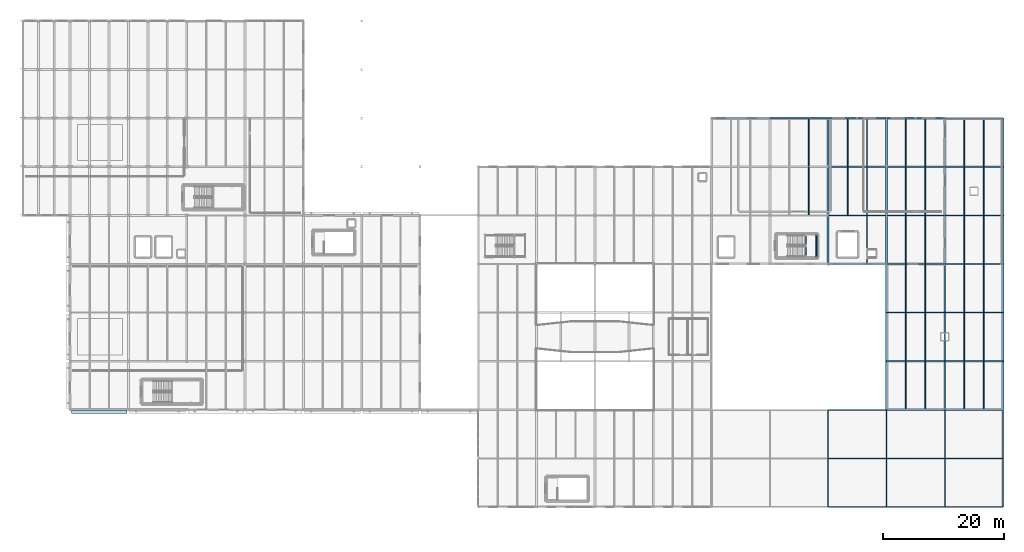
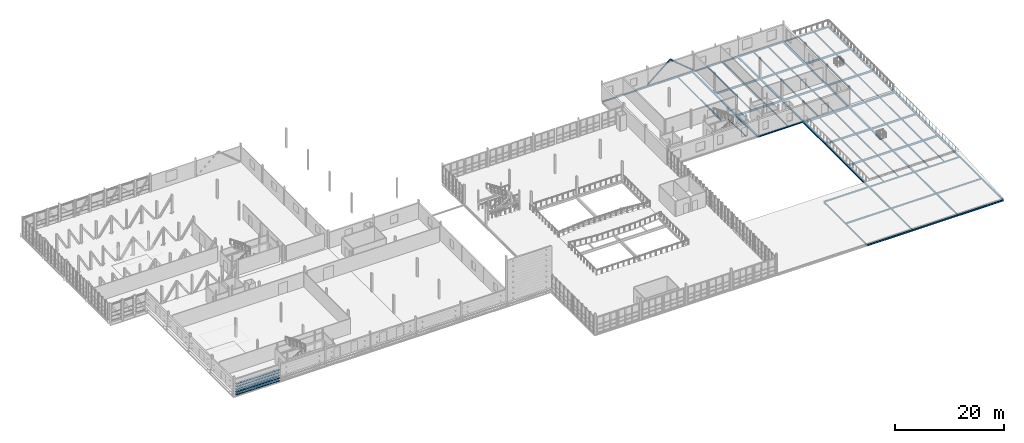
# One storey, part 44 of 73: 90 beams, 5 plates, 2 members.
"""IFC4 building model written with IfcOpenShell, lengths in metres."""

from ifc_helpers import new_model, si_unit, direction, frame, origin, origin_2d, place, context, subcontext, project, spatial, rectangle, i_section, extrude, material, layer, layer_set, material_profile, profile_set, type_object, element, save


model = new_model("IFC4")

# Units and contexts
model_context = context("Model", 3, precision=1e-05, world=origin(), true_north=direction((0.0, 1.0)))
body_context = subcontext(model_context, "Body", "Model", "MODEL_VIEW")
ifc_project = project(units=[si_unit("LENGTHUNIT", "METRE"), si_unit("AREAUNIT", "SQUARE_METRE"), si_unit("VOLUMEUNIT", "CUBIC_METRE"), si_unit("PLANEANGLEUNIT", "RADIAN"), si_unit("MASSUNIT", "GRAM", prefix="KILO")], contexts=[model_context])

# Site, building, storey
site_placement = place(None, origin())
site = spatial("IfcSite", under=ifc_project, at=site_placement, CompositionType="ELEMENT")
building_placement = place(site_placement, origin())
building = spatial("IfcBuilding", under=site, at=building_placement, Name="Alderhovde Museum", CompositionType="ELEMENT")
storey_placement = place(building_placement, frame((0.0, 0.0, 12.89990234375)))
storey = spatial("IfcBuildingStorey", under=building, at=storey_placement, Name="L03", CompositionType="ELEMENT", Elevation=12.89990234375)

# Beams
ifc_material_1 = material(Name="Steel S355J2", Category="steel")
ifc_material_profile_1 = material_profile(ifc_material_1, i_section(OverallWidth=0.300048828125, OverallDepth=0.330078125, WebThickness=0.009521484375, FlangeThickness=0.0166015625, FilletRadius=0.027099609375, at=origin_2d()), Name="HEA 340")
ifc_profile_set_1 = profile_set([ifc_material_profile_1], Name="Steel S355J2")
beam_type_1 = type_object("IfcBeamType", Name="BM-HEA340", PredefinedType="BEAM", material=ifc_profile_set_1)
for number, where, z_axis, x_axis, name in (
    (1, (134.39990234375, 72.0, -0.4248046875), (0.0, 1.0, 0.0), (-1.0, 0.0, 0.0), "L03 Grid Beam X=134.4 (72.0 TO 80.0)"),
    (2, (134.39990234375, 80.0, -0.48486328125), (0.0, 1.0, 0.0), (-1.0, 0.0, 0.0), "L03 Grid Beam X=134.4 (80.0 TO 88.0)"),
    (3, (134.39990234375, 88.0, -0.48486328125), (0.0, 1.0, 0.0), (-1.0, 0.0, 0.0), "L03 Grid Beam X=134.4 (88.0 TO 96.0)"),
    (4, (144.0, 48.0, -0.48486328125), (0.0, 1.0, 0.0), (-1.0, 0.0, 0.0), "L03 Grid Beam X=144.0 (48.0 TO 56.0)"),
    (5, (144.0, 56.0, -0.48486328125), (0.0, 1.0, 0.0), (-1.0, 0.0, 0.0), "L03 Grid Beam X=144.0 (56.0 TO 64.0)"),
    (6, (144.0, 64.0, -0.48486328125), (0.0, 1.0, 0.0), (-1.0, 0.0, 0.0), "L03 Grid Beam X=144.0 (64.0 TO 72.0)"),
    (7, (144.0, 72.0, -0.4248046875), (0.0, 1.0, 0.0), (-1.0, 0.0, 0.0), "L03 Grid Beam X=144.0 (72.0 TO 80.0)"),
    (8, (144.0, 80.0, -0.48486328125), (0.0, 1.0, 0.0), (-1.0, 0.0, 0.0), "L03 Grid Beam X=144.0 (80.0 TO 88.0)"),
    (9, (144.0, 88.0, -0.48486328125), (0.0, 1.0, 0.0), (-1.0, 0.0, 0.0), "L03 Grid Beam X=144.0 (88.0 TO 96.0)"),
    (10, (153.60009765625, 48.0, -0.48486328125), (0.0, 1.0, 0.0), (-1.0, 0.0, 0.0), "L03 Grid Beam X=153.6 (48.0 TO 56.0)"),
    (11, (153.60009765625, 56.0, -0.48486328125), (0.0, 1.0, 0.0), (-1.0, 0.0, 0.0), "L03 Grid Beam X=153.6 (56.0 TO 64.0)"),
    (12, (153.60009765625, 64.0, -0.48486328125), (0.0, 1.0, 0.0), (-1.0, 0.0, 0.0), "L03 Grid Beam X=153.6 (64.0 TO 72.0)"),
    (13, (153.60009765625, 72.0, -0.48486328125), (0.0, 1.0, 0.0), (-1.0, 0.0, 0.0), "L03 Grid Beam X=153.6 (72.0 TO 80.0)"),
    (14, (153.60009765625, 80.0, -0.48486328125), (0.0, 1.0, 0.0), (-1.0, 0.0, 0.0), "L03 Grid Beam X=153.6 (80.0 TO 88.0)"),
    (15, (153.60009765625, 88.0, -0.48486328125), (0.0, 1.0, 0.0), (-1.0, 0.0, 0.0), "L03 Grid Beam X=153.6 (88.0 TO 96.0)"),
    (16, (163.199951171875, 48.0, -0.48486328125), (0.0, 1.0, 0.0), (-1.0, 0.0, 0.0), "L03 Grid Beam X=163.2 (48.0 TO 56.0)"),
    (17, (163.199951171875, 56.0, -0.48486328125), (0.0, 1.0, 0.0), (-1.0, 0.0, 0.0), "L03 Grid Beam X=163.2 (56.0 TO 64.0)"),
    (18, (163.199951171875, 64.0, -0.48486328125), (0.0, 1.0, 0.0), (-1.0, 0.0, 0.0), "L03 Grid Beam X=163.2 (64.0 TO 72.0)"),
    (19, (163.199951171875, 72.0, -0.48486328125), (0.0, 1.0, 0.0), (-1.0, 0.0, 0.0), "L03 Grid Beam X=163.2 (72.0 TO 80.0)"),
    (20, (163.199951171875, 80.0, -0.48486328125), (0.0, 1.0, 0.0), (-1.0, 0.0, 0.0), "L03 Grid Beam X=163.2 (80.0 TO 88.0)"),
    (21, (163.199951171875, 88.0, -0.48486328125), (0.0, 1.0, 0.0), (-1.0, 0.0, 0.0), "L03 Grid Beam X=163.2 (88.0 TO 96.0)"),
):
    element("IfcBeam", number, at=place(storey_placement, frame(where, z_axis=z_axis, x_axis=x_axis)), inside=storey, type_object=beam_type_1, Name=name, PredefinedType="BEAM", context=body_context, shape_type="SweptSolid", body=[
        extrude(i_section(OverallWidth=0.300048828125, OverallDepth=0.330078125, WebThickness=0.009521484375, FlangeThickness=0.0166015625, FilletRadius=0.027099609375, at=origin_2d()), origin(), (0.0, 0.0, 1.0), 8.0),
    ])
ifc_material_2 = material(Name="Steel S355J2", Category="steel")
ifc_material_profile_2 = material_profile(ifc_material_2, i_section(OverallWidth=0.1201171875, OverallDepth=0.239990234375, WebThickness=0.006103515625, FlangeThickness=0.009765625, FilletRadius=0.014892578125, at=origin_2d()), Name="IPE 240")
ifc_profile_set_2 = profile_set([ifc_material_profile_2], Name="Steel S355J2")
beam_type_2 = type_object("IfcBeamType", Name="BM-IPE240", PredefinedType="BEAM", material=ifc_profile_set_2)
for number, where, z_axis, x_axis, name in (
    (22, (132.52001953125, 73.1201171875, -0.3798828125), (0.0, 1.0, 0.0), (-1.0, 0.0, 0.0), "L03 Stair ST4 Floor Trimmer E"),
    (23, (130.760009765625, 73.1201171875, 1.93017578125), (0.0, 1.0, 0.0), (-1.0, 0.0, 0.0), "L03 Stair ST4 Landing 1 Beam W"),
    (24, (132.43994140625, 73.1201171875, 1.93017578125), (0.0, 1.0, 0.0), (-1.0, 0.0, 0.0), "L03 Stair ST4 Landing 1 Beam E"),
):
    element("IfcBeam", number, at=place(storey_placement, frame(where, z_axis=z_axis, x_axis=x_axis)), inside=storey, type_object=beam_type_2, Name=name, PredefinedType="BEAM", context=body_context, shape_type="SweptSolid", body=[
        extrude(i_section(OverallWidth=0.1201171875, OverallDepth=0.239990234375, WebThickness=0.006103515625, FlangeThickness=0.009765625, FilletRadius=0.014892578125, at=origin_2d()), origin(), (0.0, 0.0, 1.0), 3.719970703125),
    ])
ifc_material_3 = material(Name="Steel S355J2", Category="steel")
ifc_material_profile_3 = material_profile(ifc_material_3, i_section(OverallWidth=0.169921875, OverallDepth=0.360107421875, WebThickness=0.008056640625, FlangeThickness=0.0126953125, FilletRadius=0.01806640625, at=origin_2d()), Name="IPE 360")
ifc_profile_set_3 = profile_set([ifc_material_profile_3], Name="Steel S355J2")
beam_type_3 = type_object("IfcBeamType", Name="BM-IPE360", PredefinedType="BEAM", material=ifc_profile_set_3)
for number, where, z_axis, x_axis, name in (
    (25, (134.39990234375, 32.0, -0.43994140625), (0.0, 1.0, 0.0), (-1.0, 0.0, 0.0), "L03 South Step Roof Tie X=134.4"),
    (26, (134.39990234375, 40.0, -0.43994140625), (0.0, 1.0, 0.0), (-1.0, 0.0, 0.0), "L03 South Step Roof Tie X=134.4"),
    (27, (144.0, 32.0, -0.43994140625), (0.0, 1.0, 0.0), (-1.0, 0.0, 0.0), "L03 South Step Roof Tie X=144.0"),
    (28, (144.0, 40.0, -0.43994140625), (0.0, 1.0, 0.0), (-1.0, 0.0, 0.0), "L03 South Step Roof Tie X=144.0"),
    (29, (153.60009765625, 32.0, -0.43994140625), (0.0, 1.0, 0.0), (-1.0, 0.0, 0.0), "L03 South Step Roof Tie X=153.6"),
    (30, (153.60009765625, 40.0, -0.43994140625), (0.0, 1.0, 0.0), (-1.0, 0.0, 0.0), "L03 South Step Roof Tie X=153.6"),
    (31, (163.199951171875, 32.0, -0.43994140625), (0.0, 1.0, 0.0), (-1.0, 0.0, 0.0), "L03 South Step Roof Tie X=163.2"),
    (32, (163.199951171875, 40.0, -0.43994140625), (0.0, 1.0, 0.0), (-1.0, 0.0, 0.0), "L03 South Step Roof Tie X=163.2"),
):
    element("IfcBeam", number, at=place(storey_placement, frame(where, z_axis=z_axis, x_axis=x_axis)), inside=storey, type_object=beam_type_3, Name=name, PredefinedType="BEAM", context=body_context, shape_type="SweptSolid", body=[
        extrude(i_section(OverallWidth=0.169921875, OverallDepth=0.360107421875, WebThickness=0.008056640625, FlangeThickness=0.0126953125, FilletRadius=0.01806640625, at=origin_2d()), origin(), (0.0, 0.0, 1.0), 8.0),
    ])
for number, where, z_axis, x_axis, name in (
    (33, (134.39990234375, 32.0, -0.43994140625), (1.0, 0.0, 0.0), (0.0, 1.0, 0.0), "L03 South Step Roof Beam Y=32"),
    (34, (144.0, 32.0, -0.43994140625), (1.0, 0.0, 0.0), (0.0, 1.0, 0.0), "L03 South Step Roof Beam Y=32"),
):
    element("IfcBeam", number, at=place(storey_placement, frame(where, z_axis=z_axis, x_axis=x_axis)), inside=storey, type_object=beam_type_3, Name=name, PredefinedType="BEAM", context=body_context, shape_type="SweptSolid", body=[
        extrude(i_section(OverallWidth=0.169921875, OverallDepth=0.360107421875, WebThickness=0.008056640625, FlangeThickness=0.0126953125, FilletRadius=0.01806640625, at=origin_2d()), origin(), (0.0, 0.0, 1.0), 9.60009765625),
    ])
beam_1_placement = place(storey_placement, frame((153.60009765625, 32.0, -0.43994140625), z_axis=(1.0, 0.0, 0.0), x_axis=(0.0, 1.0, 0.0)))
element("IfcBeam", 35, at=beam_1_placement, inside=storey, type_object=beam_type_3, Name="L03 South Step Roof Beam Y=32", PredefinedType="BEAM", context=body_context, shape_type="SweptSolid", body=[
    extrude(i_section(OverallWidth=0.169921875, OverallDepth=0.360107421875, WebThickness=0.008056640625, FlangeThickness=0.0126953125, FilletRadius=0.01806640625, at=origin_2d()), origin(), (0.0, 0.0, 1.0), 9.599853515625),
])
for number, where, z_axis, x_axis, name in (
    (36, (134.39990234375, 40.0, -0.43994140625), (1.0, 0.0, 0.0), (0.0, 1.0, 0.0), "L03 South Step Roof Beam Y=40"),
    (37, (144.0, 40.0, -0.43994140625), (1.0, 0.0, 0.0), (0.0, 1.0, 0.0), "L03 South Step Roof Beam Y=40"),
):
    element("IfcBeam", number, at=place(storey_placement, frame(where, z_axis=z_axis, x_axis=x_axis)), inside=storey, type_object=beam_type_3, Name=name, PredefinedType="BEAM", context=body_context, shape_type="SweptSolid", body=[
        extrude(i_section(OverallWidth=0.169921875, OverallDepth=0.360107421875, WebThickness=0.008056640625, FlangeThickness=0.0126953125, FilletRadius=0.01806640625, at=origin_2d()), origin(), (0.0, 0.0, 1.0), 9.60009765625),
    ])
beam_2_placement = place(storey_placement, frame((153.60009765625, 40.0, -0.43994140625), z_axis=(1.0, 0.0, 0.0), x_axis=(0.0, 1.0, 0.0)))
element("IfcBeam", 38, at=beam_2_placement, inside=storey, type_object=beam_type_3, Name="L03 South Step Roof Beam Y=40", PredefinedType="BEAM", context=body_context, shape_type="SweptSolid", body=[
    extrude(i_section(OverallWidth=0.169921875, OverallDepth=0.360107421875, WebThickness=0.008056640625, FlangeThickness=0.0126953125, FilletRadius=0.01806640625, at=origin_2d()), origin(), (0.0, 0.0, 1.0), 9.599853515625),
])
beam_3_placement = place(storey_placement, frame((134.39990234375, 48.0, -0.43994140625), z_axis=(1.0, 0.0, 0.0), x_axis=(0.0, 1.0, 0.0)))
element("IfcBeam", 39, at=beam_3_placement, inside=storey, type_object=beam_type_3, Name="L03 South Step Roof Beam Y=48", PredefinedType="BEAM", context=body_context, shape_type="SweptSolid", body=[
    extrude(i_section(OverallWidth=0.169921875, OverallDepth=0.360107421875, WebThickness=0.008056640625, FlangeThickness=0.0126953125, FilletRadius=0.01806640625, at=origin_2d()), origin(), (0.0, 0.0, 1.0), 9.60009765625),
])
ifc_material_4 = material(Name="Steel S355J2", Category="steel")
ifc_material_profile_4 = material_profile(ifc_material_4, i_section(OverallWidth=0.18994140625, OverallDepth=0.449951171875, WebThickness=0.009521484375, FlangeThickness=0.0146484375, FilletRadius=0.02099609375, at=origin_2d()), Name="IPE 450")
ifc_profile_set_4 = profile_set([ifc_material_profile_4], Name="Steel S355J2")
beam_type_4 = type_object("IfcBeamType", Name="BM-IPE450", PredefinedType="BEAM", material=ifc_profile_set_4)
beam_4_placement = place(storey_placement, frame((144.0, 56.0, -0.544921875), z_axis=(1.0, 0.0, 0.0), x_axis=(0.0, 1.0, 0.0)))
element("IfcBeam", 40, at=beam_4_placement, inside=storey, type_object=beam_type_4, Name="L03 Grid Beam Y=56.0 (144.0 TO 153.6)", PredefinedType="BEAM", context=body_context, shape_type="SweptSolid", body=[
    extrude(i_section(OverallWidth=0.18994140625, OverallDepth=0.449951171875, WebThickness=0.009521484375, FlangeThickness=0.0146484375, FilletRadius=0.02099609375, at=origin_2d()), origin(), (0.0, 0.0, 1.0), 9.60009765625),
])
beam_5_placement = place(storey_placement, frame((153.60009765625, 56.0, -0.544921875), z_axis=(1.0, 0.0, 0.0), x_axis=(0.0, 1.0, 0.0)))
element("IfcBeam", 41, at=beam_5_placement, inside=storey, type_object=beam_type_4, Name="L03 Grid Beam Y=56.0 (153.6 TO 163.2)", PredefinedType="BEAM", context=body_context, shape_type="SweptSolid", body=[
    extrude(i_section(OverallWidth=0.18994140625, OverallDepth=0.449951171875, WebThickness=0.009521484375, FlangeThickness=0.0146484375, FilletRadius=0.02099609375, at=origin_2d()), origin(), (0.0, 0.0, 1.0), 9.599853515625),
])
beam_6_placement = place(storey_placement, frame((144.0, 64.0, -0.544921875), z_axis=(1.0, 0.0, 0.0), x_axis=(0.0, 1.0, 0.0)))
element("IfcBeam", 42, at=beam_6_placement, inside=storey, type_object=beam_type_4, Name="L03 Grid Beam Y=64.0 (144.0 TO 153.6)", PredefinedType="BEAM", context=body_context, shape_type="SweptSolid", body=[
    extrude(i_section(OverallWidth=0.18994140625, OverallDepth=0.449951171875, WebThickness=0.009521484375, FlangeThickness=0.0146484375, FilletRadius=0.02099609375, at=origin_2d()), origin(), (0.0, 0.0, 1.0), 9.60009765625),
])
beam_7_placement = place(storey_placement, frame((153.60009765625, 64.0, -0.544921875), z_axis=(1.0, 0.0, 0.0), x_axis=(0.0, 1.0, 0.0)))
element("IfcBeam", 43, at=beam_7_placement, inside=storey, type_object=beam_type_4, Name="L03 Grid Beam Y=64.0 (153.6 TO 163.2)", PredefinedType="BEAM", context=body_context, shape_type="SweptSolid", body=[
    extrude(i_section(OverallWidth=0.18994140625, OverallDepth=0.449951171875, WebThickness=0.009521484375, FlangeThickness=0.0146484375, FilletRadius=0.02099609375, at=origin_2d()), origin(), (0.0, 0.0, 1.0), 9.599853515625),
])
beam_8_placement = place(storey_placement, frame((144.0, 72.0, -0.544921875), z_axis=(1.0, 0.0, 0.0), x_axis=(0.0, 1.0, 0.0)))
element("IfcBeam", 44, at=beam_8_placement, inside=storey, type_object=beam_type_4, Name="L03 Grid Beam Y=72.0 (144.0 TO 153.6)", PredefinedType="BEAM", context=body_context, shape_type="SweptSolid", body=[
    extrude(i_section(OverallWidth=0.18994140625, OverallDepth=0.449951171875, WebThickness=0.009521484375, FlangeThickness=0.0146484375, FilletRadius=0.02099609375, at=origin_2d()), origin(), (0.0, 0.0, 1.0), 9.60009765625),
])
beam_9_placement = place(storey_placement, frame((153.60009765625, 72.0, -0.544921875), z_axis=(1.0, 0.0, 0.0), x_axis=(0.0, 1.0, 0.0)))
element("IfcBeam", 45, at=beam_9_placement, inside=storey, type_object=beam_type_4, Name="L03 Grid Beam Y=72.0 (153.6 TO 163.2)", PredefinedType="BEAM", context=body_context, shape_type="SweptSolid", body=[
    extrude(i_section(OverallWidth=0.18994140625, OverallDepth=0.449951171875, WebThickness=0.009521484375, FlangeThickness=0.0146484375, FilletRadius=0.02099609375, at=origin_2d()), origin(), (0.0, 0.0, 1.0), 9.599853515625),
])
for number, where, z_axis, x_axis, name in (
    (46, (134.39990234375, 80.0, -0.544921875), (1.0, 0.0, 0.0), (0.0, 1.0, 0.0), "L03 Grid Beam Y=80.0 (134.4 TO 144.0)"),
    (47, (144.0, 80.0, -0.544921875), (1.0, 0.0, 0.0), (0.0, 1.0, 0.0), "L03 Grid Beam Y=80.0 (144.0 TO 153.6)"),
):
    element("IfcBeam", number, at=place(storey_placement, frame(where, z_axis=z_axis, x_axis=x_axis)), inside=storey, type_object=beam_type_4, Name=name, PredefinedType="BEAM", context=body_context, shape_type="SweptSolid", body=[
        extrude(i_section(OverallWidth=0.18994140625, OverallDepth=0.449951171875, WebThickness=0.009521484375, FlangeThickness=0.0146484375, FilletRadius=0.02099609375, at=origin_2d()), origin(), (0.0, 0.0, 1.0), 9.60009765625),
    ])
beam_10_placement = place(storey_placement, frame((153.60009765625, 80.0, -0.544921875), z_axis=(1.0, 0.0, 0.0), x_axis=(0.0, 1.0, 0.0)))
element("IfcBeam", 48, at=beam_10_placement, inside=storey, type_object=beam_type_4, Name="L03 Grid Beam Y=80.0 (153.6 TO 163.2)", PredefinedType="BEAM", context=body_context, shape_type="SweptSolid", body=[
    extrude(i_section(OverallWidth=0.18994140625, OverallDepth=0.449951171875, WebThickness=0.009521484375, FlangeThickness=0.0146484375, FilletRadius=0.02099609375, at=origin_2d()), origin(), (0.0, 0.0, 1.0), 9.599853515625),
])
for number, where, z_axis, x_axis, name in (
    (49, (134.39990234375, 88.0, -0.544921875), (1.0, 0.0, 0.0), (0.0, 1.0, 0.0), "L03 Grid Beam Y=88.0 (134.4 TO 144.0)"),
    (50, (144.0, 88.0, -0.544921875), (1.0, 0.0, 0.0), (0.0, 1.0, 0.0), "L03 Grid Beam Y=88.0 (144.0 TO 153.6)"),
):
    element("IfcBeam", number, at=place(storey_placement, frame(where, z_axis=z_axis, x_axis=x_axis)), inside=storey, type_object=beam_type_4, Name=name, PredefinedType="BEAM", context=body_context, shape_type="SweptSolid", body=[
        extrude(i_section(OverallWidth=0.18994140625, OverallDepth=0.449951171875, WebThickness=0.009521484375, FlangeThickness=0.0146484375, FilletRadius=0.02099609375, at=origin_2d()), origin(), (0.0, 0.0, 1.0), 9.60009765625),
    ])
beam_11_placement = place(storey_placement, frame((153.60009765625, 88.0, -0.544921875), z_axis=(1.0, 0.0, 0.0), x_axis=(0.0, 1.0, 0.0)))
element("IfcBeam", 51, at=beam_11_placement, inside=storey, type_object=beam_type_4, Name="L03 Grid Beam Y=88.0 (153.6 TO 163.2)", PredefinedType="BEAM", context=body_context, shape_type="SweptSolid", body=[
    extrude(i_section(OverallWidth=0.18994140625, OverallDepth=0.449951171875, WebThickness=0.009521484375, FlangeThickness=0.0146484375, FilletRadius=0.02099609375, at=origin_2d()), origin(), (0.0, 0.0, 1.0), 9.599853515625),
])

# Members
ifc_material_5 = material(Name="Steel S355J2", Category="steel")
ifc_material_profile_5 = material_profile(ifc_material_5, i_section(OverallWidth=0.199951171875, OverallDepth=0.18994140625, WebThickness=0.006591796875, FlangeThickness=0.010009765625, FilletRadius=0.01806640625, at=origin_2d()), Name="HEA 200")
ifc_profile_set_5 = profile_set([ifc_material_profile_5], Name="Steel S355J2")
member_type = type_object("IfcMemberType", Name="BR-HEA200", PredefinedType="BRACE", material=ifc_profile_set_5)
member_1_placement = place(storey_placement, frame((124.800048828125, 96.0, 0.0), z_axis=(0.768224482335, 0.0, 0.640180556359), x_axis=(0.0, 1.0, 0.0)))
element("IfcMember", 52, at=member_1_placement, inside=storey, type_object=member_type, Name="L03 Chevron Brace BR-V5-N-L", PredefinedType="BRACE", context=body_context, shape_type="SweptSolid", body=[
    extrude(i_section(OverallWidth=0.199951171875, OverallDepth=0.18994140625, WebThickness=0.006591796875, FlangeThickness=0.010009765625, FilletRadius=0.01806640625, at=origin_2d()), origin(), (0.0, 0.0, 1.0), 6.248291015625),
])
member_2_placement = place(storey_placement, frame((134.39990234375, 96.0, 0.0), z_axis=(-0.768208468069, 0.0, 0.640199773186), x_axis=(0.0, -1.0, 0.0)))
element("IfcMember", 53, at=member_2_placement, inside=storey, type_object=member_type, Name="L03 Chevron Brace BR-V5-N-R", PredefinedType="BRACE", context=body_context, shape_type="SweptSolid", body=[
    extrude(i_section(OverallWidth=0.199951171875, OverallDepth=0.18994140625, WebThickness=0.006591796875, FlangeThickness=0.010009765625, FilletRadius=0.01806640625, at=origin_2d()), origin(), (0.0, 0.0, 1.0), 6.248046875),
])

# Beams
ifc_material_6 = material(Name="Steel S355J2", Category="steel")
ifc_material_profile_6 = material_profile(ifc_material_6, i_section(OverallWidth=0.14990234375, OverallDepth=0.300048828125, WebThickness=0.007080078125, FlangeThickness=0.0107421875, FilletRadius=0.014892578125, at=origin_2d()), Name="IPE 300")
ifc_profile_set_6 = profile_set([ifc_material_profile_6], Name="Steel S355J2")
beam_type_5 = type_object("IfcBeamType", Name="JST-IPE300", PredefinedType="JOIST", material=ifc_profile_set_6)
beam_12_placement = place(storey_placement, frame((131.199951171875, 80.094970703125, -0.469970703125), z_axis=(0.0, 1.0, 0.0), x_axis=(-1.0, 0.0, 0.0)))
element("IfcBeam", 54, at=beam_12_placement, inside=storey, type_object=beam_type_5, Name="L03 Composite Joist X=131.2 (80.0 TO 88.0)", PredefinedType="JOIST", context=body_context, shape_type="SweptSolid", body=[
    extrude(i_section(OverallWidth=0.14990234375, OverallDepth=0.300048828125, WebThickness=0.007080078125, FlangeThickness=0.0107421875, FilletRadius=0.014892578125, at=origin_2d()), origin(), (0.0, 0.0, 1.0), 7.81005859375),
])
for number, where, z_axis, x_axis, name in (
    (55, (131.199951171875, 88.094970703125, -0.469970703125), (0.0, 1.0, 0.0), (-1.0, 0.0, 0.0), "L03 Composite Joist X=131.2 (88.0 TO 96.0)"),
    (56, (140.800048828125, 72.1298828125, -0.409912109375), (0.0, 1.0, 0.0), (-1.0, 0.0, 0.0), "L03 Composite Joist X=140.8 (72.0 TO 80.0)"),
):
    element("IfcBeam", number, at=place(storey_placement, frame(where, z_axis=z_axis, x_axis=x_axis)), inside=storey, type_object=beam_type_5, Name=name, PredefinedType="JOIST", context=body_context, shape_type="SweptSolid", body=[
        extrude(i_section(OverallWidth=0.14990234375, OverallDepth=0.300048828125, WebThickness=0.007080078125, FlangeThickness=0.0107421875, FilletRadius=0.014892578125, at=origin_2d()), origin(), (0.0, 0.0, 1.0), 7.775146484375),
    ])
for number, where, z_axis, x_axis, name in (
    (57, (137.60009765625, 80.094970703125, -0.469970703125), (0.0, 1.0, 0.0), (-1.0, 0.0, 0.0), "L03 Composite Joist X=137.6 (80.0 TO 88.0)"),
    (58, (140.800048828125, 80.094970703125, -0.469970703125), (0.0, 1.0, 0.0), (-1.0, 0.0, 0.0), "L03 Composite Joist X=140.8 (80.0 TO 88.0)"),
):
    element("IfcBeam", number, at=place(storey_placement, frame(where, z_axis=z_axis, x_axis=x_axis)), inside=storey, type_object=beam_type_5, Name=name, PredefinedType="JOIST", context=body_context, shape_type="SweptSolid", body=[
        extrude(i_section(OverallWidth=0.14990234375, OverallDepth=0.300048828125, WebThickness=0.007080078125, FlangeThickness=0.0107421875, FilletRadius=0.014892578125, at=origin_2d()), origin(), (0.0, 0.0, 1.0), 7.81005859375),
    ])
for number, where, z_axis, x_axis, name in (
    (59, (137.60009765625, 88.094970703125, -0.469970703125), (0.0, 1.0, 0.0), (-1.0, 0.0, 0.0), "L03 Composite Joist X=137.6 (88.0 TO 96.0)"),
    (60, (140.800048828125, 88.094970703125, -0.469970703125), (0.0, 1.0, 0.0), (-1.0, 0.0, 0.0), "L03 Composite Joist X=140.8 (88.0 TO 96.0)"),
    (61, (147.199951171875, 48.1298828125, -0.469970703125), (0.0, 1.0, 0.0), (-1.0, 0.0, 0.0), "L03 Composite Joist X=147.2 (48.0 TO 56.0)"),
    (62, (150.39990234375, 48.1298828125, -0.469970703125), (0.0, 1.0, 0.0), (-1.0, 0.0, 0.0), "L03 Composite Joist X=150.4 (48.0 TO 56.0)"),
):
    element("IfcBeam", number, at=place(storey_placement, frame(where, z_axis=z_axis, x_axis=x_axis)), inside=storey, type_object=beam_type_5, Name=name, PredefinedType="JOIST", context=body_context, shape_type="SweptSolid", body=[
        extrude(i_section(OverallWidth=0.14990234375, OverallDepth=0.300048828125, WebThickness=0.007080078125, FlangeThickness=0.0107421875, FilletRadius=0.014892578125, at=origin_2d()), origin(), (0.0, 0.0, 1.0), 7.775146484375),
    ])
for number, where, z_axis, x_axis, name in (
    (63, (147.199951171875, 56.094970703125, -0.469970703125), (0.0, 1.0, 0.0), (-1.0, 0.0, 0.0), "L03 Composite Joist X=147.2 (56.0 TO 64.0)"),
    (64, (150.39990234375, 56.094970703125, -0.469970703125), (0.0, 1.0, 0.0), (-1.0, 0.0, 0.0), "L03 Composite Joist X=150.4 (56.0 TO 64.0)"),
    (65, (147.199951171875, 64.094970703125, -0.469970703125), (0.0, 1.0, 0.0), (-1.0, 0.0, 0.0), "L03 Composite Joist X=147.2 (64.0 TO 72.0)"),
    (66, (150.39990234375, 64.094970703125, -0.469970703125), (0.0, 1.0, 0.0), (-1.0, 0.0, 0.0), "L03 Composite Joist X=150.4 (64.0 TO 72.0)"),
    (67, (147.199951171875, 72.094970703125, -0.409912109375), (0.0, 1.0, 0.0), (-1.0, 0.0, 0.0), "L03 Composite Joist X=147.2 (72.0 TO 80.0)"),
    (68, (150.39990234375, 72.094970703125, -0.409912109375), (0.0, 1.0, 0.0), (-1.0, 0.0, 0.0), "L03 Composite Joist X=150.4 (72.0 TO 80.0)"),
    (69, (147.199951171875, 80.094970703125, -0.469970703125), (0.0, 1.0, 0.0), (-1.0, 0.0, 0.0), "L03 Composite Joist X=147.2 (80.0 TO 88.0)"),
    (70, (150.39990234375, 80.094970703125, -0.469970703125), (0.0, 1.0, 0.0), (-1.0, 0.0, 0.0), "L03 Composite Joist X=150.4 (80.0 TO 88.0)"),
):
    element("IfcBeam", number, at=place(storey_placement, frame(where, z_axis=z_axis, x_axis=x_axis)), inside=storey, type_object=beam_type_5, Name=name, PredefinedType="JOIST", context=body_context, shape_type="SweptSolid", body=[
        extrude(i_section(OverallWidth=0.14990234375, OverallDepth=0.300048828125, WebThickness=0.007080078125, FlangeThickness=0.0107421875, FilletRadius=0.014892578125, at=origin_2d()), origin(), (0.0, 0.0, 1.0), 7.81005859375),
    ])
for number, where, z_axis, x_axis, name in (
    (71, (147.199951171875, 88.094970703125, -0.469970703125), (0.0, 1.0, 0.0), (-1.0, 0.0, 0.0), "L03 Composite Joist X=147.2 (88.0 TO 96.0)"),
    (72, (150.39990234375, 88.094970703125, -0.469970703125), (0.0, 1.0, 0.0), (-1.0, 0.0, 0.0), "L03 Composite Joist X=150.4 (88.0 TO 96.0)"),
    (73, (156.800048828125, 48.1298828125, -0.469970703125), (0.0, 1.0, 0.0), (-1.0, 0.0, 0.0), "L03 Composite Joist X=156.8 (48.0 TO 56.0)"),
    (74, (160.0, 48.1298828125, -0.469970703125), (0.0, 1.0, 0.0), (-1.0, 0.0, 0.0), "L03 Composite Joist X=160.0 (48.0 TO 56.0)"),
):
    element("IfcBeam", number, at=place(storey_placement, frame(where, z_axis=z_axis, x_axis=x_axis)), inside=storey, type_object=beam_type_5, Name=name, PredefinedType="JOIST", context=body_context, shape_type="SweptSolid", body=[
        extrude(i_section(OverallWidth=0.14990234375, OverallDepth=0.300048828125, WebThickness=0.007080078125, FlangeThickness=0.0107421875, FilletRadius=0.014892578125, at=origin_2d()), origin(), (0.0, 0.0, 1.0), 7.775146484375),
    ])
for number, where, z_axis, x_axis, name in (
    (75, (156.800048828125, 56.094970703125, -0.469970703125), (0.0, 1.0, 0.0), (-1.0, 0.0, 0.0), "L03 Composite Joist X=156.8 (56.0 TO 64.0)"),
    (76, (160.0, 56.094970703125, -0.469970703125), (0.0, 1.0, 0.0), (-1.0, 0.0, 0.0), "L03 Composite Joist X=160.0 (56.0 TO 64.0)"),
    (77, (156.800048828125, 64.094970703125, -0.469970703125), (0.0, 1.0, 0.0), (-1.0, 0.0, 0.0), "L03 Composite Joist X=156.8 (64.0 TO 72.0)"),
    (78, (160.0, 64.094970703125, -0.469970703125), (0.0, 1.0, 0.0), (-1.0, 0.0, 0.0), "L03 Composite Joist X=160.0 (64.0 TO 72.0)"),
    (79, (156.800048828125, 72.094970703125, -0.469970703125), (0.0, 1.0, 0.0), (-1.0, 0.0, 0.0), "L03 Composite Joist X=156.8 (72.0 TO 80.0)"),
    (80, (160.0, 72.094970703125, -0.469970703125), (0.0, 1.0, 0.0), (-1.0, 0.0, 0.0), "L03 Composite Joist X=160.0 (72.0 TO 80.0)"),
    (81, (156.800048828125, 80.094970703125, -0.469970703125), (0.0, 1.0, 0.0), (-1.0, 0.0, 0.0), "L03 Composite Joist X=156.8 (80.0 TO 88.0)"),
    (82, (160.0, 80.094970703125, -0.469970703125), (0.0, 1.0, 0.0), (-1.0, 0.0, 0.0), "L03 Composite Joist X=160.0 (80.0 TO 88.0)"),
):
    element("IfcBeam", number, at=place(storey_placement, frame(where, z_axis=z_axis, x_axis=x_axis)), inside=storey, type_object=beam_type_5, Name=name, PredefinedType="JOIST", context=body_context, shape_type="SweptSolid", body=[
        extrude(i_section(OverallWidth=0.14990234375, OverallDepth=0.300048828125, WebThickness=0.007080078125, FlangeThickness=0.0107421875, FilletRadius=0.014892578125, at=origin_2d()), origin(), (0.0, 0.0, 1.0), 7.81005859375),
    ])
for number, where, z_axis, x_axis, name in (
    (83, (156.800048828125, 88.094970703125, -0.469970703125), (0.0, 1.0, 0.0), (-1.0, 0.0, 0.0), "L03 Composite Joist X=156.8 (88.0 TO 96.0)"),
    (84, (160.0, 88.094970703125, -0.469970703125), (0.0, 1.0, 0.0), (-1.0, 0.0, 0.0), "L03 Composite Joist X=160.0 (88.0 TO 96.0)"),
):
    element("IfcBeam", number, at=place(storey_placement, frame(where, z_axis=z_axis, x_axis=x_axis)), inside=storey, type_object=beam_type_5, Name=name, PredefinedType="JOIST", context=body_context, shape_type="SweptSolid", body=[
        extrude(i_section(OverallWidth=0.14990234375, OverallDepth=0.300048828125, WebThickness=0.007080078125, FlangeThickness=0.0107421875, FilletRadius=0.014892578125, at=origin_2d()), origin(), (0.0, 0.0, 1.0), 7.775146484375),
    ])
ifc_material_7 = material(Name="Steel S355J2", Category="steel")
ifc_material_profile_7 = material_profile(ifc_material_7, i_section(OverallWidth=0.260009765625, OverallDepth=0.25, WebThickness=0.007568359375, FlangeThickness=0.012451171875, FilletRadius=0.02392578125, at=origin_2d()), Name="HEA 260")
ifc_profile_set_7 = profile_set([ifc_material_profile_7], Name="Steel S355J2")
beam_type_6 = type_object("IfcBeamType", Name="SPD-HEA260", PredefinedType="SPANDREL", material=ifc_profile_set_7)
beam_13_placement = place(storey_placement, frame((144.0, 48.0, -0.44482421875), z_axis=(1.0, 0.0, 0.0), x_axis=(0.0, 1.0, 0.0)))
element("IfcBeam", 85, at=beam_13_placement, inside=storey, type_object=beam_type_6, Name="L03 Grid Beam Y=48.0 (144.0 TO 153.6)", PredefinedType="SPANDREL", context=body_context, shape_type="SweptSolid", body=[
    extrude(i_section(OverallWidth=0.260009765625, OverallDepth=0.25, WebThickness=0.007568359375, FlangeThickness=0.012451171875, FilletRadius=0.02392578125, at=origin_2d()), origin(), (0.0, 0.0, 1.0), 9.60009765625),
])
beam_14_placement = place(storey_placement, frame((153.60009765625, 48.0, -0.44482421875), z_axis=(1.0, 0.0, 0.0), x_axis=(0.0, 1.0, 0.0)))
element("IfcBeam", 86, at=beam_14_placement, inside=storey, type_object=beam_type_6, Name="L03 Grid Beam Y=48.0 (153.6 TO 163.2)", PredefinedType="SPANDREL", context=body_context, shape_type="SweptSolid", body=[
    extrude(i_section(OverallWidth=0.260009765625, OverallDepth=0.25, WebThickness=0.007568359375, FlangeThickness=0.012451171875, FilletRadius=0.02392578125, at=origin_2d()), origin(), (0.0, 0.0, 1.0), 9.599853515625),
])
for number, where, z_axis, x_axis, name in (
    (87, (134.39990234375, 72.0, -0.385009765625), (1.0, 0.0, 0.0), (0.0, 1.0, 0.0), "L03 Grid Beam Y=72.0 (134.4 TO 144.0)"),
    (88, (115.199951171875, 96.0, -0.44482421875), (1.0, 0.0, 0.0), (0.0, 1.0, 0.0), "L03 Grid Beam Y=96.0 (115.2 TO 124.8)"),
):
    element("IfcBeam", number, at=place(storey_placement, frame(where, z_axis=z_axis, x_axis=x_axis)), inside=storey, type_object=beam_type_6, Name=name, PredefinedType="SPANDREL", context=body_context, shape_type="SweptSolid", body=[
        extrude(i_section(OverallWidth=0.260009765625, OverallDepth=0.25, WebThickness=0.007568359375, FlangeThickness=0.012451171875, FilletRadius=0.02392578125, at=origin_2d()), origin(), (0.0, 0.0, 1.0), 9.60009765625),
    ])
beam_15_placement = place(storey_placement, frame((124.800048828125, 96.0, -0.44482421875), z_axis=(1.0, 0.0, 0.0), x_axis=(0.0, 1.0, 0.0)))
element("IfcBeam", 89, at=beam_15_placement, inside=storey, type_object=beam_type_6, Name="L03 Grid Beam Y=96.0 (124.8 TO 134.4)", PredefinedType="SPANDREL", context=body_context, shape_type="SweptSolid", body=[
    extrude(i_section(OverallWidth=0.260009765625, OverallDepth=0.25, WebThickness=0.007568359375, FlangeThickness=0.012451171875, FilletRadius=0.02392578125, at=origin_2d()), origin(), (0.0, 0.0, 1.0), 9.599853515625),
])
for number, where, z_axis, x_axis, name in (
    (90, (134.39990234375, 96.0, -0.44482421875), (1.0, 0.0, 0.0), (0.0, 1.0, 0.0), "L03 Grid Beam Y=96.0 (134.4 TO 144.0)"),
    (91, (144.0, 96.0, -0.44482421875), (1.0, 0.0, 0.0), (0.0, 1.0, 0.0), "L03 Grid Beam Y=96.0 (144.0 TO 153.6)"),
):
    element("IfcBeam", number, at=place(storey_placement, frame(where, z_axis=z_axis, x_axis=x_axis)), inside=storey, type_object=beam_type_6, Name=name, PredefinedType="SPANDREL", context=body_context, shape_type="SweptSolid", body=[
        extrude(i_section(OverallWidth=0.260009765625, OverallDepth=0.25, WebThickness=0.007568359375, FlangeThickness=0.012451171875, FilletRadius=0.02392578125, at=origin_2d()), origin(), (0.0, 0.0, 1.0), 9.60009765625),
    ])
beam_16_placement = place(storey_placement, frame((153.60009765625, 96.0, -0.44482421875), z_axis=(1.0, 0.0, 0.0), x_axis=(0.0, 1.0, 0.0)))
element("IfcBeam", 92, at=beam_16_placement, inside=storey, type_object=beam_type_6, Name="L03 Grid Beam Y=96.0 (153.6 TO 163.2)", PredefinedType="SPANDREL", context=body_context, shape_type="SweptSolid", body=[
    extrude(i_section(OverallWidth=0.260009765625, OverallDepth=0.25, WebThickness=0.007568359375, FlangeThickness=0.012451171875, FilletRadius=0.02392578125, at=origin_2d()), origin(), (0.0, 0.0, 1.0), 9.599853515625),
])

# Plates
ifc_material_8 = material(Name="Bronze-Anodised Aluminium EN AW-6063-T6", Category="aluminium")
ifc_layer = layer(ifc_material_8, 0.06494140625)
ifc_layer_set = layer_set([ifc_layer], Name="Bronze-Anodised Aluminium EN AW-6063-T6")
plate_type = type_object("IfcPlateType", Name="LV-BLADE-450", PredefinedType="USERDEFINED", material=ifc_layer_set)
for number, where, z_axis, x_axis, name in (
    (93, (14.39990234375, 47.64501953125, 0.267578125), (0.0, 0.0, 1.0), (1.0, 0.0, 0.0), "L03 Wrap-Around Horizontal Louvre 151"),
    (94, (14.39990234375, 47.64501953125, 0.86767578125), (0.0, 0.0, 1.0), (1.0, 0.0, 0.0), "L03 Wrap-Around Horizontal Louvre 152"),
    (95, (14.39990234375, 47.64501953125, 1.467529296875), (0.0, 0.0, 1.0), (1.0, 0.0, 0.0), "L03 Wrap-Around Horizontal Louvre 153"),
    (96, (14.39990234375, 47.64501953125, 2.067626953125), (0.0, 0.0, 1.0), (1.0, 0.0, 0.0), "L03 Wrap-Around Horizontal Louvre 154"),
    (97, (14.39990234375, 47.64501953125, 2.667724609375), (0.0, 0.0, 1.0), (1.0, 0.0, 0.0), "L03 Wrap-Around Horizontal Louvre 155"),
):
    element("IfcPlate", number, at=place(storey_placement, frame(where, z_axis=z_axis, x_axis=x_axis)), inside=storey, type_object=plate_type, Name=name, ObjectType="LOUVRE BLADE", PredefinedType="USERDEFINED", context=body_context, shape_type="SweptSolid", body=[
        extrude(rectangle(XDim=9.199951171875, YDim=0.449951171875, at=origin_2d()), origin(), (0.0, 0.0, 1.0), 0.06494140625),
    ])

save(model, "model.ifc")
